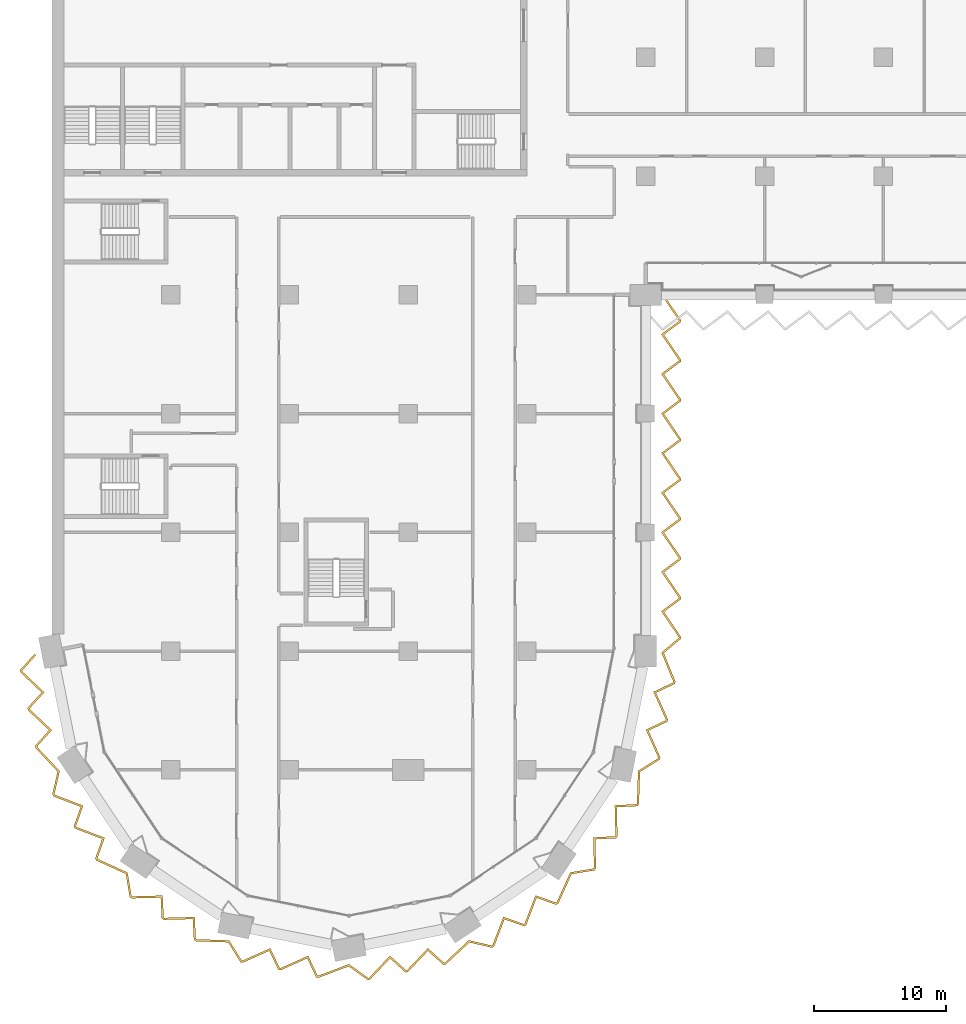
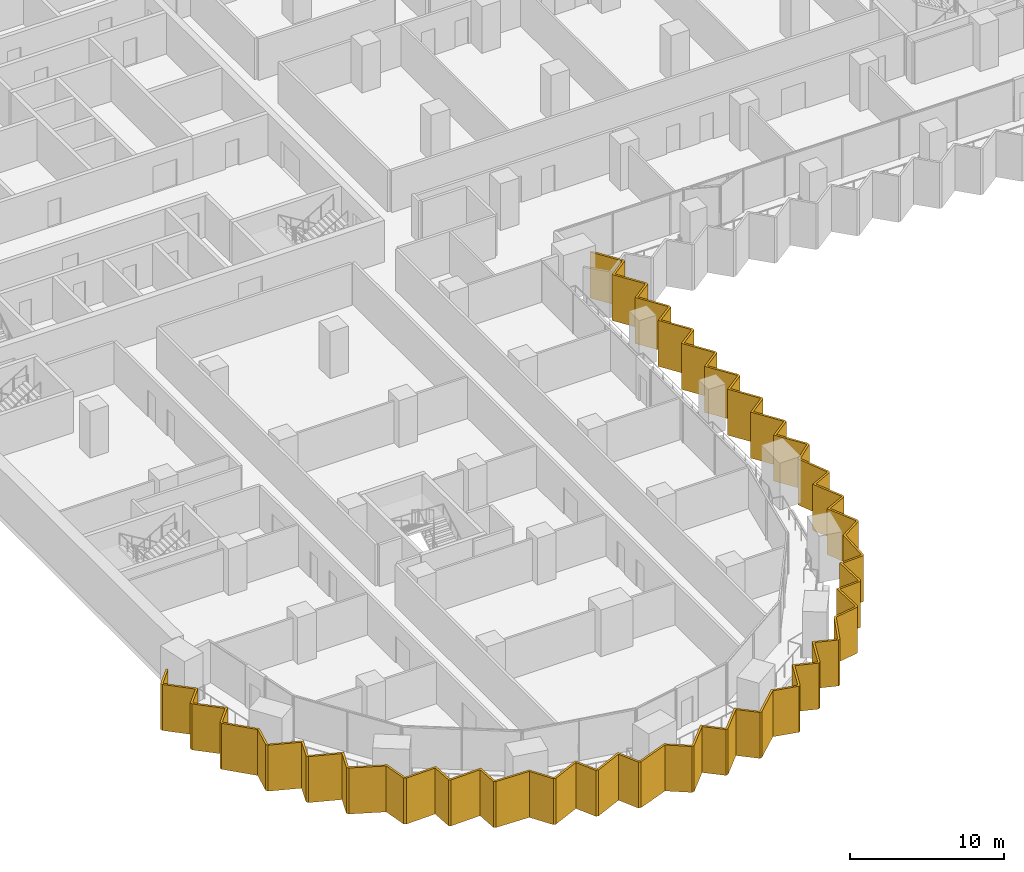
# One storey, part 23 of 28: 1 shading device.
"""IFC4 building model written with IfcOpenShell, lengths in metres."""

from ifc_helpers import new_model, si_unit, direction, frame, origin, place, context, subcontext, project, spatial, polyline, outline, extrude, material, layer, layer_set, type_object, element, save


model = new_model("IFC4")

# Units and contexts
model_context = context("Model", 3, precision=1e-05, world=origin(), true_north=direction((0.0, 1.0)))
body_context = subcontext(model_context, "Body", "Model", "MODEL_VIEW")
ifc_project = project(units=[si_unit("LENGTHUNIT", "METRE"), si_unit("AREAUNIT", "SQUARE_METRE"), si_unit("VOLUMEUNIT", "CUBIC_METRE"), si_unit("PLANEANGLEUNIT", "RADIAN"), si_unit("MASSUNIT", "GRAM", prefix="KILO")], contexts=[model_context])

# Site, building, storey
site_placement = place(None, origin())
site = spatial("IfcSite", under=ifc_project, at=site_placement, CompositionType="ELEMENT")
building_placement = place(site_placement, origin())
building = spatial("IfcBuilding", under=site, at=building_placement, Name="Hunhe Ridgeline Campus", CompositionType="ELEMENT")
storey_placement = place(building_placement, frame((0.0, 0.0, 43.199951171875)))
storey = spatial("IfcBuildingStorey", under=building, at=storey_placement, Name="L09", CompositionType="ELEMENT", Elevation=43.199951171875)

# Shading device
ifc_material = material(Name="Concrete C50", Category="concrete")
ifc_layer = layer(ifc_material, 0.14990234375)
ifc_layer_set = layer_set([ifc_layer], Name="Sawtooth concrete fin 150 Concrete C50")
shading_device_type = type_object("IfcShadingDeviceType", Name="Sawtooth concrete fin 150 Concrete C50", PredefinedType="USERDEFINED", material=ifc_layer_set)
shading_device_placement = place(storey_placement, frame((0.0, 0.0, -0.949951171875)))
element("IfcShadingDevice", 1, at=shading_device_placement, inside=storey, type_object=shading_device_type, Name="Concrete fin screen 1", ObjectType="FIN", PredefinedType="USERDEFINED", context=body_context, shape_type="SweptSolid", body=[
    extrude(outline(polyline([(-1.19482421875, 26.700927734375), (-1.30615234375, 26.801513671875), (-2.41748046875, 25.570556640625), (-2.382080078125, 25.392333984375), (-0.784423828125, 23.876953125), (-1.8466796875, 22.7001953125), (-1.811279296875, 22.522216796875), (-0.21337890625, 21.0068359375), (-1.275634765625, 19.830078125), (-1.24072265625, 19.654541015625), (0.4296875, 17.8701171875), (0.029052734375, 16.139404296875), (0.127197265625, 15.992919921875), (2.18310546875, 15.204345703125), (1.652099609375, 13.71044921875), (1.7529296875, 13.5595703125), (3.80908203125, 12.77099609375), (3.27783203125, 11.27734375), (3.37744140625, 11.12841796875), (5.603515625, 10.119140625), (5.895751953125, 8.366943359375), (6.04248046875, 8.26904296875), (8.24365234375, 8.3271484375), (8.32470703125, 6.743896484375), (8.4755859375, 6.64306640625), (10.677001953125, 6.701416015625), (10.7578125, 5.1181640625), (10.90673828125, 5.018798828125), (13.349609375, 4.93798828125), (14.290283203125, 3.43115234375), (14.463134765625, 3.396728515625), (16.474609375, 4.29296875), (17.1552734375, 2.861083984375), (17.333251953125, 2.82568359375), (19.3447265625, 3.72216796875), (20.025390625, 2.290283203125), (20.201171875, 2.25537109375), (22.489013671875, 3.11572265625), (23.9345703125, 2.08349609375), (24.107666015625, 2.117919921875), (25.623046875, 3.715576171875), (26.7998046875, 2.6533203125), (26.977783203125, 2.688720703125), (28.4931640625, 4.28662109375), (29.669921875, 3.224365234375), (29.845458984375, 3.25927734375), (31.6298828125, 4.9296875), (33.360595703125, 4.529052734375), (33.507080078125, 4.627197265625), (34.295654296875, 6.68310546875), (35.78955078125, 6.152099609375), (35.9404296875, 6.2529296875), (36.72900390625, 8.30908203125), (38.22265625, 7.77783203125), (38.37158203125, 7.87744140625), (39.380859375, 10.103515625), (41.133056640625, 10.395751953125), (41.23095703125, 10.54248046875), (41.1728515625, 12.74365234375), (42.756103515625, 12.82470703125), (42.85693359375, 12.9755859375), (42.798583984375, 15.177001953125), (44.3818359375, 15.2578125), (44.481201171875, 15.40673828125), (44.56201171875, 17.849609375), (46.06884765625, 18.790283203125), (46.103271484375, 18.963134765625), (45.20703125, 20.974609375), (46.638916015625, 21.6552734375), (46.67431640625, 21.833251953125), (45.77783203125, 23.8447265625), (47.209716796875, 24.525390625), (47.244873046875, 24.7021484375), (46.365234375, 26.852294921875), (47.64990234375, 27.93310546875), (47.64990234375, 28.111083984375), (46.37744140625, 29.982666015625), (47.64990234375, 30.930419921875), (47.64990234375, 31.111083984375), (46.37744140625, 32.982666015625), (47.64990234375, 33.930419921875), (47.64990234375, 34.111083984375), (46.37744140625, 35.982666015625), (47.64990234375, 36.930419921875), (47.64990234375, 37.111083984375), (46.37744140625, 38.982666015625), (47.64990234375, 39.930419921875), (47.64990234375, 40.111083984375), (46.37744140625, 41.982666015625), (47.64990234375, 42.930419921875), (47.64990234375, 43.111083984375), (46.37744140625, 44.982666015625), (47.64990234375, 45.930419921875), (47.64990234375, 46.111083984375), (46.37744140625, 47.982666015625), (47.64990234375, 48.930419921875), (47.64990234375, 49.111083984375), (46.37744140625, 50.982666015625), (47.64990234375, 51.930419921875), (47.64990234375, 52.111083984375), (46.3369140625, 54.042236328125), (46.212890625, 53.957763671875), (47.5, 52.06494140625), (47.5, 52.005859375), (46.172607421875, 51.017333984375), (47.5, 49.06494140625), (47.5, 49.005859375), (46.172607421875, 48.017333984375), (47.5, 46.06494140625), (47.5, 46.005859375), (46.172607421875, 45.017333984375), (47.5, 43.06494140625), (47.5, 43.005859375), (46.172607421875, 42.017333984375), (47.5, 40.06494140625), (47.5, 40.005859375), (46.172607421875, 39.017333984375), (47.5, 37.06494140625), (47.5, 37.005859375), (46.172607421875, 36.017333984375), (47.5, 34.06494140625), (47.5, 34.005859375), (46.172607421875, 33.017333984375), (47.5, 31.06494140625), (47.5, 31.005859375), (46.172607421875, 30.017333984375), (47.5, 28.06494140625), (47.5, 28.0029296875), (46.184814453125, 26.896728515625), (47.0888671875, 24.687255859375), (47.077392578125, 24.628662109375), (45.581298828125, 23.91748046875), (46.517822265625, 21.81591796875), (46.50634765625, 21.758544921875), (45.010498046875, 21.04736328125), (45.94677734375, 18.94580078125), (45.9345703125, 18.88330078125), (44.414794921875, 17.9345703125), (44.332763671875, 15.454345703125), (44.298828125, 15.40380859375), (42.644775390625, 15.3193359375), (42.70556640625, 13.019287109375), (42.673095703125, 12.970703125), (41.018798828125, 12.885986328125), (41.079833984375, 10.586181640625), (41.04443359375, 10.533203125), (39.27734375, 10.23828125), (38.252685546875, 7.978271484375), (38.201904296875, 7.9443359375), (36.641357421875, 8.499267578125), (35.8173828125, 6.35107421875), (35.768798828125, 6.318603515625), (34.2080078125, 6.87353515625), (33.38427734375, 4.725341796875), (33.331298828125, 4.68994140625), (31.585693359375, 5.09375), (29.774169921875, 3.39794921875), (29.71435546875, 3.385986328125), (28.48486328125, 4.49609375), (26.901611328125, 2.82666015625), (26.84423828125, 2.815185546875), (25.61474609375, 3.925048828125), (24.031494140625, 2.255615234375), (23.968994140625, 2.2431640625), (22.510986328125, 3.2841796875), (20.188232421875, 2.410888671875), (20.128662109375, 2.422607421875), (19.41748046875, 3.918701171875), (17.31591796875, 2.982177734375), (17.258544921875, 2.99365234375), (16.54736328125, 4.489501953125), (14.44580078125, 3.55322265625), (14.38330078125, 3.5654296875), (13.4345703125, 5.085205078125), (10.954345703125, 5.167236328125), (10.90380859375, 5.201171875), (10.8193359375, 6.855224609375), (8.519287109375, 6.79443359375), (8.470703125, 6.826904296875), (8.385986328125, 8.481201171875), (6.086181640625, 8.420166015625), (6.033203125, 8.45556640625), (5.73828125, 10.22265625), (3.478271484375, 11.247314453125), (3.4443359375, 11.298095703125), (3.999267578125, 12.858642578125), (1.85107421875, 13.6826171875), (1.818603515625, 13.731201171875), (2.37353515625, 15.2919921875), (0.225341796875, 16.11572265625), (0.18994140625, 16.168701171875), (0.59375, 17.914306640625), (-1.10205078125, 19.725830078125), (-1.114013671875, 19.78564453125), (-0.00390625, 21.01513671875), (-1.67333984375, 22.598388671875), (-1.684814453125, 22.65576171875), (-0.574951171875, 23.88525390625), (-2.244384765625, 25.468505859375), (-2.255859375, 25.52587890625), (-1.19482421875, 26.700927734375)])), origin(), (0.0, 0.0, 1.0), 3.64990234375),
])

save(model, "model.ifc")
